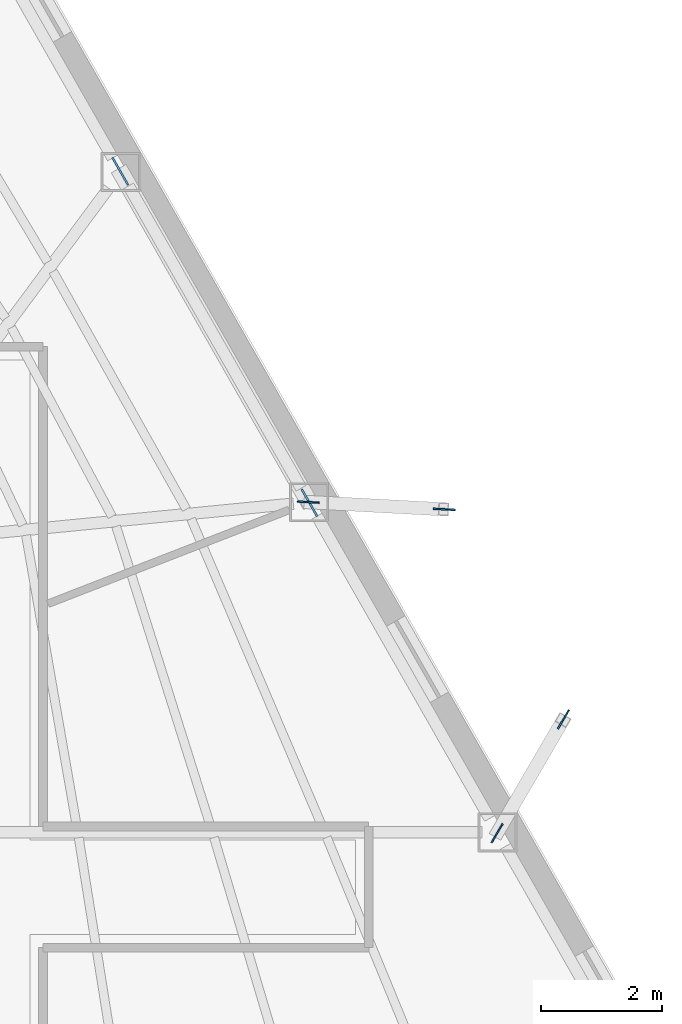
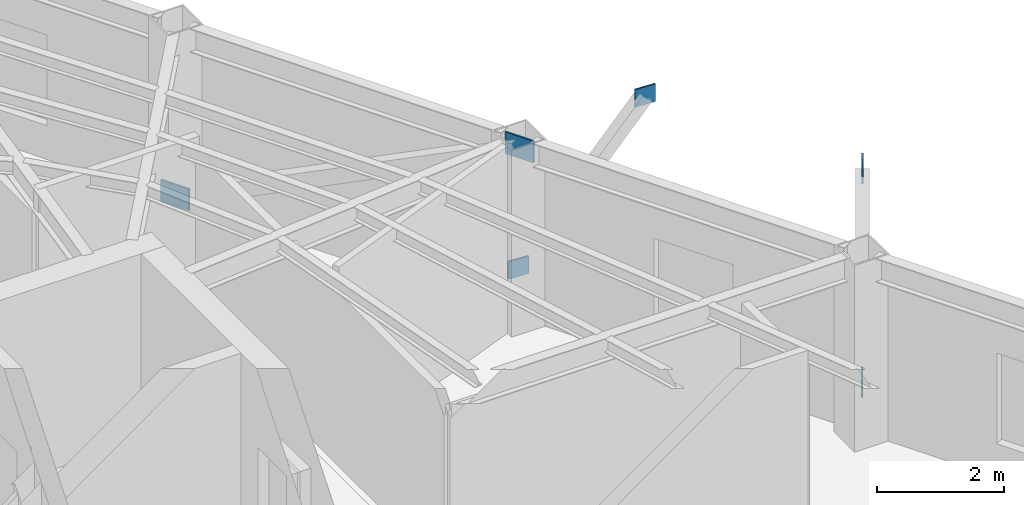
# One storey, part 5 of 11: 6 plates.
"""IFC4 building model written with IfcOpenShell, lengths in metres."""

from ifc_helpers import new_model, si_unit, direction, frame, origin, origin_2d, place, context, subcontext, project, spatial, rectangle, extrude, material, layer, layer_set, type_object, element, save


model = new_model("IFC4")

# Units and contexts
model_context = context("Model", 3, precision=1e-05, world=origin(), true_north=direction((0.0, 1.0)))
body_context = subcontext(model_context, "Body", "Model", "MODEL_VIEW")
ifc_project = project(units=[si_unit("LENGTHUNIT", "METRE"), si_unit("AREAUNIT", "SQUARE_METRE"), si_unit("VOLUMEUNIT", "CUBIC_METRE"), si_unit("PLANEANGLEUNIT", "RADIAN"), si_unit("MASSUNIT", "GRAM", prefix="KILO")], contexts=[model_context])

# Site, building, storey
site_placement = place(None, origin())
site = spatial("IfcSite", under=ifc_project, at=site_placement, CompositionType="ELEMENT")
building_placement = place(site_placement, origin())
building = spatial("IfcBuilding", under=site, at=building_placement, Name="Kavelnor Concourse Tower", CompositionType="ELEMENT")
storey_placement = place(building_placement, frame((0.0, 0.0, 218.89990234375)))
storey = spatial("IfcBuildingStorey", under=building, at=storey_placement, Name="L55", CompositionType="ELEMENT", Elevation=218.89990234375)

# Plates
ifc_material = material(Name="Steel Grade 350", Category="steel")
ifc_layer_1 = layer(ifc_material, 0.028076171875, Name="Steel Grade 350")
ifc_layer_set_1 = layer_set([ifc_layer_1], Name="Steel Grade 350")
plate_type_1 = type_object("IfcPlateType", Name="PL-GUSSET-FOLD", PredefinedType="USERDEFINED", material=ifc_layer_set_1)
for number, where, z_axis, x_axis, name in (
    (1, (57.435546875, 16.992919921875, 0.8798828125), (0.0, 0.0, 1.0), (0.503773977046, 0.863835505204, 0.0), "L55 Balcony Strut Gusset GP4 1-A End Gusset A"),
    (2, (58.528564453125, 18.867431640625, 3.48486328125), (0.0, 0.0, 1.0), (0.503773977046, 0.863835505204, 0.0), "L55 Balcony Strut Gusset GP4 1-A End Gusset B"),
    (3, (54.318359375, 22.455078125, 0.8798828125), (0.0, 0.0, 1.0), (0.998601994823, -0.052858830247, 0.0), "L55 Balcony Strut Gusset GP4 1-B End Gusset A"),
    (4, (56.562255859375, 22.336181640625, 3.48486328125), (0.0, 0.0, 1.0), (0.998601994823, -0.052858830247, 0.0), "L55 Balcony Strut Gusset GP4 1-B End Gusset B"),
):
    element("IfcPlate", number, at=place(storey_placement, frame(where, z_axis=z_axis, x_axis=x_axis)), inside=storey, type_object=plate_type_1, Name=name, ObjectType="GUSSET_PLATE", PredefinedType="USERDEFINED", context=body_context, shape_type="SweptSolid", body=[
        extrude(rectangle(XDim=0.360107421875, YDim=0.028076171875, at=origin_2d()), origin(), (0.0, 0.0, 1.0), 0.340087890625),
    ])
ifc_layer_2 = layer(ifc_material, 0.031982421875, Name="Steel Grade 350")
ifc_layer_set_2 = layer_set([ifc_layer_2], Name="Steel Grade 350")
plate_type_2 = type_object("IfcPlateType", Name="PL-GUSSET-TUBE-Z1", PredefinedType="USERDEFINED", material=ifc_layer_set_2)
for number, where, z_axis, x_axis, name in (
    (5, (51.213134765625, 27.916015625, 0.01025390625), (0.0, 0.0, 1.0), (0.495761847839, -0.86845851382, 0.0), "L55 Tube Brace Gusset GP3 F2-B2 End Gusset A"),
    (6, (54.336181640625, 22.444091796875, 3.16015625), (0.0, 0.0, 1.0), (0.495761847839, -0.86845851382, 0.0), "L55 Tube Brace Gusset GP3 F2-B2 End Gusset B"),
):
    element("IfcPlate", number, at=place(storey_placement, frame(where, z_axis=z_axis, x_axis=x_axis)), inside=storey, type_object=plate_type_2, Name=name, ObjectType="GUSSET_PLATE", PredefinedType="USERDEFINED", context=body_context, shape_type="SweptSolid", body=[
        extrude(rectangle(XDim=0.52001953125, YDim=0.031982421875, at=origin_2d()), origin(), (0.0, 0.0, 1.0), 0.419921875),
    ])

save(model, "model.ifc")
